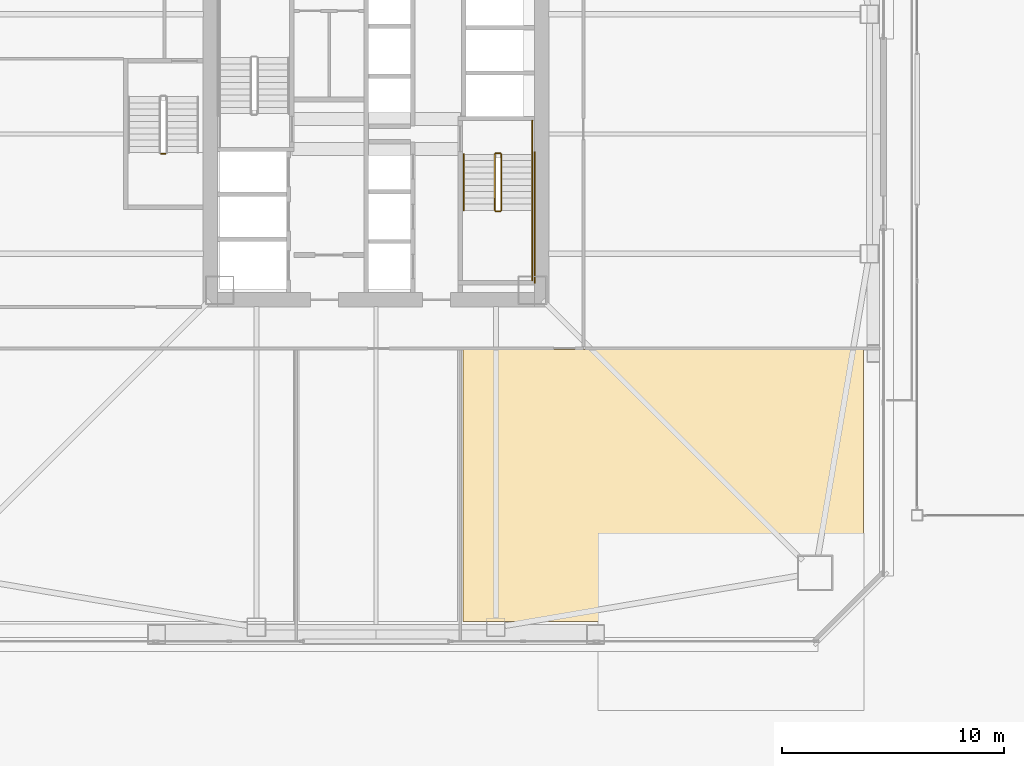
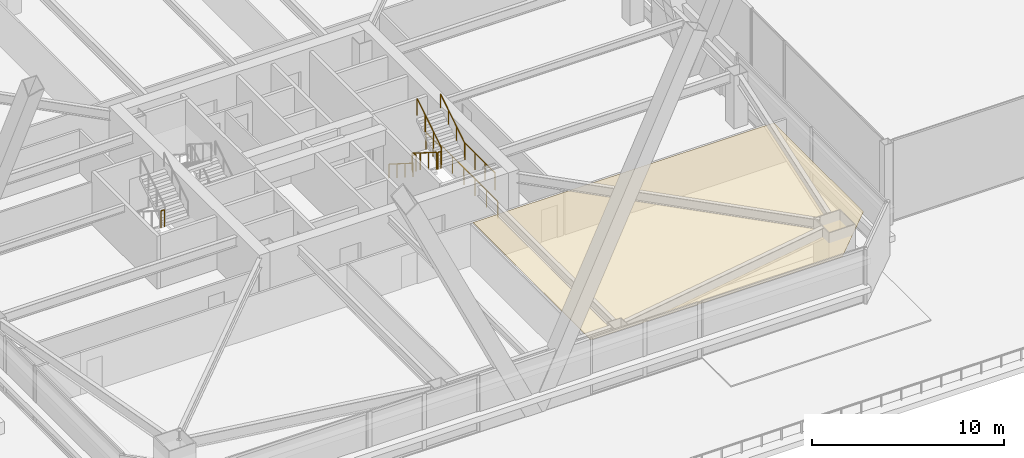
# One storey, part 74 of 83: 10 railings, 1 covering.
"""IFC4 building model written with IfcOpenShell, lengths in metres."""

from ifc_helpers import new_model, si_unit, direction, frame, origin, origin_2d, place, context, subcontext, project, spatial, polyline, rectangle, outline, extrude, material, layer, layer_set, type_object, element, save


model = new_model("IFC4")

# Units and contexts
model_context = context("Model", 3, precision=1e-05, world=origin(), true_north=direction((0.0, 1.0)))
body_context = subcontext(model_context, "Body", "Model", "MODEL_VIEW")
ifc_project = project(units=[si_unit("LENGTHUNIT", "METRE"), si_unit("AREAUNIT", "SQUARE_METRE"), si_unit("VOLUMEUNIT", "CUBIC_METRE"), si_unit("PLANEANGLEUNIT", "RADIAN"), si_unit("MASSUNIT", "GRAM", prefix="KILO")], contexts=[model_context])

# Site, building, storey
site_placement = place(None, origin())
site = spatial("IfcSite", under=ifc_project, at=site_placement, CompositionType="ELEMENT")
building_placement = place(site_placement, origin())
building = spatial("IfcBuilding", under=site, at=building_placement, Name="Tashvorn Skyway Center", CompositionType="ELEMENT")
storey_placement = place(building_placement, frame((0.0, 0.0, 24.60009765625)))
storey = spatial("IfcBuildingStorey", under=building, at=storey_placement, Name="L05", CompositionType="ELEMENT", Elevation=24.60009765625)

# Covering
ifc_material_1 = material(Name="Mineral-fibre acoustic ceiling tile on suspended grid")
ifc_layer = layer(ifc_material_1, 0.02001953125)
ifc_layer_set = layer_set([ifc_layer], Name="Mineral-fibre acoustic ceiling tile on suspended grid")
covering_type = type_object("IfcCoveringType", Name="COV-CEIL-20", PredefinedType="CEILING", material=ifc_layer_set)
covering_placement = place(storey_placement, frame((0.0, 0.0, 2.682861328125)))
element("IfcCovering", 1, at=covering_placement, inside=storey, type_object=covering_type, Name="Tower 1 L05 Catering Pantry Acoustic Ceiling", PredefinedType="CEILING", context=body_context, shape_type="SweptSolid", body=[
    extrude(outline(polyline([(45.919921875, 10.02001953125), (45.919921875, 22.2900390625), (63.97998046875, 22.2900390625), (63.97998046875, 12.97998046875), (61.02001953125, 10.02001953125), (45.919921875, 10.02001953125)])), origin(), (0.0, 0.0, 1.0), 0.02001953125),
])

# Railings
ifc_material_2 = material(Name="Brushed stainless steel 316", Category="steel")
railing_type_1 = type_object("IfcRailingType", Name="RAIL-HAND-920", PredefinedType="HANDRAIL", material=ifc_material_2)
railing_1_placement = place(storey_placement, frame((45.949951171875, 31.080078125, 0.177490234375)))
element("IfcRailing", 2, at=railing_1_placement, inside=storey, type_object=railing_type_1, Name="L05 ST-T1-2 stair handrail 1", PredefinedType="HANDRAIL", context=body_context, shape_type="SweptSolid", body=[
    extrude(rectangle(XDim=0.048095703125, YDim=0.048095703125, at=origin_2d()), frame((0.0, 0.0, 0.8759765625), z_axis=(0.0, -0.84460694969, 0.535386869969), x_axis=(1.0, 0.0, 0.0)), (0.0, 0.0, 1.0), 2.983642578125),
    extrude(rectangle(XDim=0.0419921875, YDim=0.0419921875, at=origin_2d()), origin(), (0.0, 0.0, 1.0), 0.851806640625),
    extrude(rectangle(XDim=0.0419921875, YDim=0.0419921875, at=origin_2d()), frame((0.0, -0.840087890625, 0.532470703125)), (0.0, 0.0, 1.0), 0.851806640625),
    extrude(rectangle(XDim=0.0419921875, YDim=0.0419921875, at=origin_2d()), frame((0.0, -1.679931640625, 1.06494140625)), (0.0, 0.0, 1.0), 0.851806640625),
    extrude(rectangle(XDim=0.0419921875, YDim=0.0419921875, at=origin_2d()), frame((0.0, -2.52001953125, 1.597412109375)), (0.0, 0.0, 1.0), 0.851806640625),
])
railing_2_placement = place(storey_placement, frame((49.050048828125, 28.56005859375, 1.952392578125)))
element("IfcRailing", 3, at=railing_2_placement, inside=storey, type_object=railing_type_1, Name="L05 ST-T1-2 stair handrail 2", PredefinedType="HANDRAIL", context=body_context, shape_type="SweptSolid", body=[
    extrude(rectangle(XDim=0.048095703125, YDim=0.048095703125, at=origin_2d()), frame((0.0, 0.0, 0.8759765625), z_axis=(0.0, 0.84460694969, 0.535386869969), x_axis=(-1.0, 0.0, 0.0)), (0.0, 0.0, 1.0), 2.983642578125),
    extrude(rectangle(XDim=0.0419921875, YDim=0.0419921875, at=origin_2d()), origin(), (0.0, 0.0, 1.0), 0.851806640625),
    extrude(rectangle(XDim=0.0419921875, YDim=0.0419921875, at=origin_2d()), frame((0.0, 0.840087890625, 0.532470703125)), (0.0, 0.0, 1.0), 0.851806640625),
    extrude(rectangle(XDim=0.0419921875, YDim=0.0419921875, at=origin_2d()), frame((0.0, 1.679931640625, 1.06494140625)), (0.0, 0.0, 1.0), 0.851806640625),
    extrude(rectangle(XDim=0.0419921875, YDim=0.0419921875, at=origin_2d()), frame((0.0, 2.52001953125, 1.597412109375)), (0.0, 0.0, 1.0), 0.851806640625),
])
ifc_material_3 = material(Name="Painted galvanized steel S355", Category="steel")
railing_type_2 = type_object("IfcRailingType", Name="RAIL-STGUARD-1100", PredefinedType="GUARDRAIL", material=ifc_material_3)
railing_3_placement = place(storey_placement, frame((47.35009765625, 31.080078125, 0.177490234375)))
element("IfcRailing", 4, at=railing_3_placement, inside=storey, type_object=railing_type_2, Name="L05 ST-T1-2 stair guard 1", PredefinedType="GUARDRAIL", context=body_context, shape_type="SweptSolid", body=[
    extrude(rectangle(XDim=0.048095703125, YDim=0.048095703125, at=origin_2d()), frame((0.0, 0.0, 1.076171875), z_axis=(0.0, -0.84460694969, 0.535386869969), x_axis=(1.0, 0.0, 0.0)), (0.0, 0.0, 1.0), 2.983642578125),
    extrude(rectangle(XDim=0.0419921875, YDim=0.0419921875, at=origin_2d()), origin(), (0.0, 0.0, 1.0), 1.052001953125),
    extrude(rectangle(XDim=0.0419921875, YDim=0.0419921875, at=origin_2d()), frame((0.0, -0.840087890625, 0.532470703125)), (0.0, 0.0, 1.0), 1.052001953125),
    extrude(rectangle(XDim=0.0419921875, YDim=0.0419921875, at=origin_2d()), frame((0.0, -1.679931640625, 1.06494140625)), (0.0, 0.0, 1.0), 1.052001953125),
    extrude(rectangle(XDim=0.0419921875, YDim=0.0419921875, at=origin_2d()), frame((0.0, -2.52001953125, 1.597412109375)), (0.0, 0.0, 1.0), 1.052001953125),
])
railing_4_placement = place(storey_placement, frame((47.39990234375, 28.510009765625, 1.77490234375)))
element("IfcRailing", 5, at=railing_4_placement, inside=storey, type_object=railing_type_2, Name="L05 ST-T1-2 stair guard 2", PredefinedType="GUARDRAIL", context=body_context, shape_type="SweptSolid", body=[
    extrude(rectangle(XDim=0.048095703125, YDim=0.048095703125, at=origin_2d()), frame((0.0, 0.0, 1.076171875), z_axis=(1.0, 0.0, 0.0), x_axis=(0.0, 1.0, 0.0)), (0.0, 0.0, 1.0), 0.2001953125),
    extrude(rectangle(XDim=0.0419921875, YDim=0.0419921875, at=origin_2d()), origin(), (0.0, 0.0, 1.0), 1.052001953125),
    extrude(rectangle(XDim=0.0419921875, YDim=0.0419921875, at=origin_2d()), frame((0.2001953125, 0.0, 0.0)), (0.0, 0.0, 1.0), 1.052001953125),
])
railing_5_placement = place(storey_placement, frame((49.050048828125, 28.56005859375, 1.77490234375)))
element("IfcRailing", 6, at=railing_5_placement, inside=storey, type_object=railing_type_2, Name="L05 ST-T1-2 stair guard 3", PredefinedType="GUARDRAIL", context=body_context, shape_type="SweptSolid", body=[
    extrude(rectangle(XDim=0.048095703125, YDim=0.048095703125, at=origin_2d()), frame((0.0, 0.0, 1.076171875), z_axis=(0.0, -1.0, 0.0), x_axis=(1.0, 0.0, 0.0)), (0.0, 0.0, 1.0), 3.16015625),
    extrude(rectangle(XDim=0.0419921875, YDim=0.0419921875, at=origin_2d()), origin(), (0.0, 0.0, 1.0), 1.052001953125),
    extrude(rectangle(XDim=0.0419921875, YDim=0.0419921875, at=origin_2d()), frame((0.0, -1.053466796875, 0.0)), (0.0, 0.0, 1.0), 1.052001953125),
    extrude(rectangle(XDim=0.0419921875, YDim=0.0419921875, at=origin_2d()), frame((0.0, -2.106689453125, 0.0)), (0.0, 0.0, 1.0), 1.052001953125),
    extrude(rectangle(XDim=0.0419921875, YDim=0.0419921875, at=origin_2d()), frame((0.0, -3.16015625, 0.0)), (0.0, 0.0, 1.0), 1.052001953125),
])
railing_6_placement = place(storey_placement, frame((47.64990234375, 28.56005859375, 1.952392578125)))
element("IfcRailing", 7, at=railing_6_placement, inside=storey, type_object=railing_type_2, Name="L05 ST-T1-2 stair guard 4", PredefinedType="GUARDRAIL", context=body_context, shape_type="SweptSolid", body=[
    extrude(rectangle(XDim=0.048095703125, YDim=0.048095703125, at=origin_2d()), frame((0.0, 0.0, 1.076171875), z_axis=(0.0, 0.84460694969, 0.535386869969), x_axis=(-1.0, 0.0, 0.0)), (0.0, 0.0, 1.0), 2.983642578125),
    extrude(rectangle(XDim=0.0419921875, YDim=0.0419921875, at=origin_2d()), origin(), (0.0, 0.0, 1.0), 1.052001953125),
    extrude(rectangle(XDim=0.0419921875, YDim=0.0419921875, at=origin_2d()), frame((0.0, 0.840087890625, 0.532470703125)), (0.0, 0.0, 1.0), 1.052001953125),
    extrude(rectangle(XDim=0.0419921875, YDim=0.0419921875, at=origin_2d()), frame((0.0, 1.679931640625, 1.06494140625)), (0.0, 0.0, 1.0), 1.052001953125),
    extrude(rectangle(XDim=0.0419921875, YDim=0.0419921875, at=origin_2d()), frame((0.0, 2.52001953125, 1.597412109375)), (0.0, 0.0, 1.0), 1.052001953125),
])
railing_7_placement = place(storey_placement, frame((47.39990234375, 31.1298828125, 0.0)))
element("IfcRailing", 8, at=railing_7_placement, inside=storey, type_object=railing_type_2, Name="L05 ST-T1-2 stair guard 5", PredefinedType="GUARDRAIL", context=body_context, shape_type="SweptSolid", body=[
    extrude(rectangle(XDim=0.048095703125, YDim=0.048095703125, at=origin_2d()), frame((0.0, 0.0, 1.076171875), z_axis=(1.0, 0.0, 0.0), x_axis=(0.0, 1.0, 0.0)), (0.0, 0.0, 1.0), 0.2001953125),
    extrude(rectangle(XDim=0.0419921875, YDim=0.0419921875, at=origin_2d()), origin(), (0.0, 0.0, 1.0), 1.052001953125),
    extrude(rectangle(XDim=0.0419921875, YDim=0.0419921875, at=origin_2d()), frame((0.2001953125, 0.0, 0.0)), (0.0, 0.0, 1.0), 1.052001953125),
])
railing_8_placement = place(storey_placement, frame((49.050048828125, 32.60009765625, 0.0)))
element("IfcRailing", 9, at=railing_8_placement, inside=storey, type_object=railing_type_2, Name="L05 ST-T1-2 stair guard 6", PredefinedType="GUARDRAIL", context=body_context, shape_type="SweptSolid", body=[
    extrude(rectangle(XDim=0.048095703125, YDim=0.048095703125, at=origin_2d()), frame((0.0, 0.0, 1.076171875), z_axis=(0.0, -1.0, 0.0), x_axis=(1.0, 0.0, 0.0)), (0.0, 0.0, 1.0), 1.52001953125),
    extrude(rectangle(XDim=0.0419921875, YDim=0.0419921875, at=origin_2d()), origin(), (0.0, 0.0, 1.0), 1.052001953125),
    extrude(rectangle(XDim=0.0419921875, YDim=0.0419921875, at=origin_2d()), frame((0.0, -0.760009765625, 0.0)), (0.0, 0.0, 1.0), 1.052001953125),
    extrude(rectangle(XDim=0.0419921875, YDim=0.0419921875, at=origin_2d()), frame((0.0, -1.52001953125, 0.0)), (0.0, 0.0, 1.0), 1.052001953125),
])
railing_9_placement = place(storey_placement, frame((49.14990234375, 31.179931640625, 0.0)))
element("IfcRailing", 10, at=railing_9_placement, inside=storey, type_object=railing_type_2, Name="L05 ST-T1-2 stair guard 7", PredefinedType="GUARDRAIL", context=body_context, shape_type="SweptSolid", body=[
    extrude(rectangle(XDim=0.048095703125, YDim=0.048095703125, at=origin_2d()), frame((0.0, 0.0, 1.076171875), z_axis=(0.0, -1.0, 0.0), x_axis=(1.0, 0.0, 0.0)), (0.0, 0.0, 1.0), 5.8798828125),
    extrude(rectangle(XDim=0.0419921875, YDim=0.0419921875, at=origin_2d()), origin(), (0.0, 0.0, 1.0), 1.052001953125),
    extrude(rectangle(XDim=0.0419921875, YDim=0.0419921875, at=origin_2d()), frame((0.0, -1.176025390625, 0.0)), (0.0, 0.0, 1.0), 1.052001953125),
    extrude(rectangle(XDim=0.0419921875, YDim=0.0419921875, at=origin_2d()), frame((0.0, -2.35205078125, 0.0)), (0.0, 0.0, 1.0), 1.052001953125),
    extrude(rectangle(XDim=0.0419921875, YDim=0.0419921875, at=origin_2d()), frame((0.0, -3.52783203125, 0.0)), (0.0, 0.0, 1.0), 1.052001953125),
    extrude(rectangle(XDim=0.0419921875, YDim=0.0419921875, at=origin_2d()), frame((0.0, -4.703857421875, 0.0)), (0.0, 0.0, 1.0), 1.052001953125),
    extrude(rectangle(XDim=0.0419921875, YDim=0.0419921875, at=origin_2d()), frame((0.0, -5.8798828125, 0.0)), (0.0, 0.0, 1.0), 1.052001953125),
])
railing_10_placement = place(storey_placement, frame((32.300048828125, 31.110107421875, 1.77490234375)))
element("IfcRailing", 11, at=railing_10_placement, inside=storey, type_object=railing_type_2, Name="L05 ST-T1-3 stair guard 2", PredefinedType="GUARDRAIL", context=body_context, shape_type="SweptSolid", body=[
    extrude(rectangle(XDim=0.048095703125, YDim=0.048095703125, at=origin_2d()), frame((0.0, 0.0, 1.076171875), z_axis=(1.0, 0.0, 0.0), x_axis=(0.0, 1.0, 0.0)), (0.0, 0.0, 1.0), 0.199951171875),
    extrude(rectangle(XDim=0.0419921875, YDim=0.0419921875, at=origin_2d()), origin(), (0.0, 0.0, 1.0), 1.052001953125),
    extrude(rectangle(XDim=0.0419921875, YDim=0.0419921875, at=origin_2d()), frame((0.199951171875, 0.0, 0.0)), (0.0, 0.0, 1.0), 1.052001953125),
])

save(model, "model.ifc")
